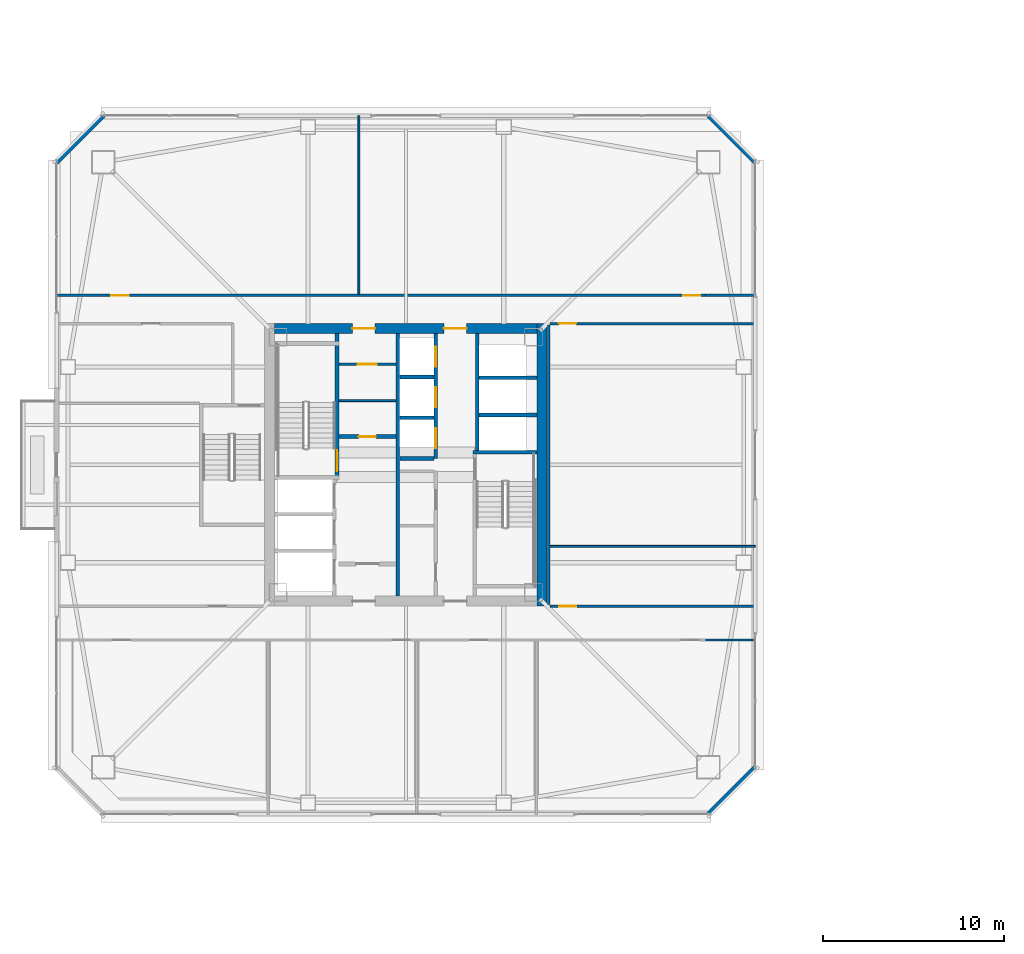
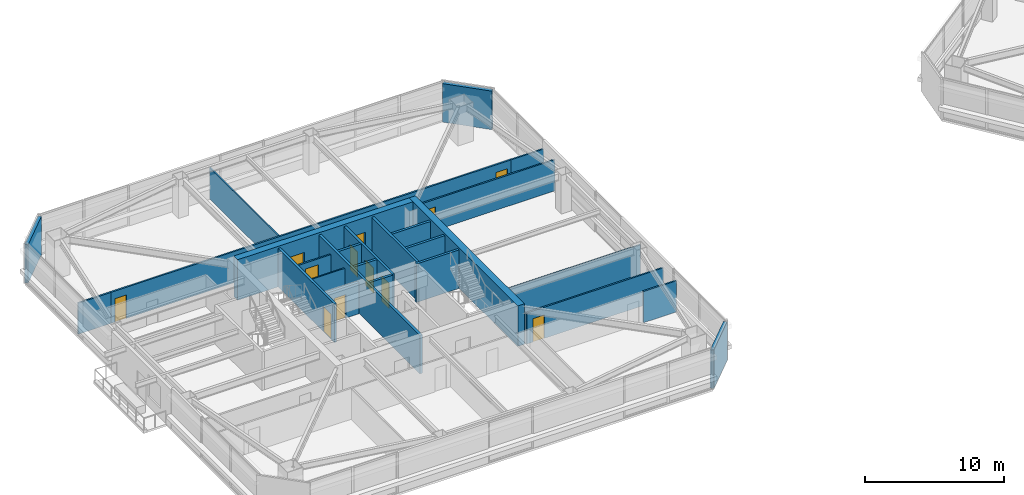
# One storey, part 35 of 44: 27 walls, 12 doors, 12 openings.
"""IFC4 building model written with IfcOpenShell, lengths in metres."""

from ifc_helpers import new_model, si_unit, direction, frame, frame_2d, origin, place, context, subcontext, project, spatial, rectangle, extrude, material, layer, layer_set, type_object, element, fill, save


model = new_model("IFC4")

# Units and contexts
model_context = context("Model", 3, precision=1e-05, world=origin(), true_north=direction((0.0, 1.0)))
body_context = subcontext(model_context, "Body", "Model", "MODEL_VIEW")
ifc_project = project(units=[si_unit("LENGTHUNIT", "METRE"), si_unit("AREAUNIT", "SQUARE_METRE"), si_unit("VOLUMEUNIT", "CUBIC_METRE"), si_unit("PLANEANGLEUNIT", "RADIAN"), si_unit("MASSUNIT", "GRAM", prefix="KILO")], contexts=[model_context])

# Site, building, storey
site_placement = place(None, origin())
site = spatial("IfcSite", under=ifc_project, at=site_placement, CompositionType="ELEMENT")
building_placement = place(site_placement, origin())
building = spatial("IfcBuilding", under=site, at=building_placement, Name="Tashvorn Skyway Center", CompositionType="ELEMENT")
storey_placement = place(building_placement, frame((0.0, 0.0, 128.60009765625)))
storey = spatial("IfcBuildingStorey", under=building, at=storey_placement, Name="L34", CompositionType="ELEMENT", Elevation=128.60009765625)

# Wall
ifc_material_1 = material(Name="Concrete C60/75", Category="concrete")
ifc_layer_1 = layer(ifc_material_1, 0.550048828125)
ifc_layer_set_1 = layer_set([ifc_layer_1], Name="Concrete C60/75")
wall_type_1 = type_object("IfcWallType", Name="WALL-CORE-550", PredefinedType="SHEAR", material=ifc_layer_set_1)
wall_1_placement = place(storey_placement, frame((49.52490234375, 39.800048828125, 0.0), z_axis=(0.0, 0.0, 1.0), x_axis=(0.0, -1.0, 0.0)))
element("IfcWall", 1, at=wall_1_placement, inside=storey, type_object=wall_type_1, Name="Tower 1 L34 East Core Shear Wall", PredefinedType="SHEAR", context=body_context, shape_type="SweptSolid", body=[
    extrude(rectangle(XDim=15.60009765625, YDim=0.550048828125, at=frame_2d((7.800048828125, 0.0))), origin(), (0.0, 0.0, 1.0), 3.5498046875),
])

# Wall, openings, doors
wall_2_placement = place(storey_placement, frame((34.75, 39.52490234375, 0.0), z_axis=(0.0, 0.0, 1.0), x_axis=(1.0, 0.0, 0.0)))
wall_2 = element("IfcWall", 2, at=wall_2_placement, inside=storey, type_object=wall_type_1, Name="Tower 1 L34 North Core Shear Wall", PredefinedType="SHEAR", context=body_context, shape_type="SweptSolid", body=[
    extrude(rectangle(XDim=14.5, YDim=0.550048828125, at=frame_2d((7.25, 0.0))), origin(), (0.0, 0.0, 1.0), 3.5498046875),
])
opening_1_placement = place(wall_2_placement, frame((4.300048828125, 0.0, 0.0)))
opening_1 = element("IfcOpeningElement", 3, at=opening_1_placement, cuts=wall_2, Name="Opening D-FFL-1250", PredefinedType="OPENING", context=body_context, shape_type="SweptSolid", body=[
    extrude(rectangle(XDim=1.25, YDim=2.25, at=frame_2d((0.625, 1.125))), frame((0.0, 0.284912109375, 0.0), z_axis=(0.0, -1.0, 0.0), x_axis=(1.0, 0.0, 0.0)), (0.0, 0.0, 1.0), 0.570068359375),
])
opening_2_placement = place(wall_2_placement, frame((9.35009765625, 0.0, 0.0)))
opening_2 = element("IfcOpeningElement", 4, at=opening_2_placement, cuts=wall_2, Name="Opening D-FFL-1250", PredefinedType="OPENING", context=body_context, shape_type="SweptSolid", body=[
    extrude(rectangle(XDim=1.25, YDim=2.25, at=frame_2d((0.625, 1.125))), frame((0.0, 0.284912109375, 0.0), z_axis=(0.0, -1.0, 0.0), x_axis=(1.0, 0.0, 0.0)), (0.0, 0.0, 1.0), 0.570068359375),
])
ifc_material_2 = material(Name="Hollow galvanized steel fire door assembly", Category="steel")
door_type_1 = type_object("IfcDoorType", Name="DOOR-FFL-1250", OperationType="NOTDEFINED", PredefinedType="DOOR", material=ifc_material_2)
door_1_placement = place(opening_1_placement, origin())
door_1 = element("IfcDoor", 5, at=door_1_placement, inside=storey, type_object=door_type_1, Name="Tower 1 L34 Core North Service Lobby Door", OperationType="SINGLE_SWING_LEFT", OverallHeight=2.25, OverallWidth=1.25, PredefinedType="DOOR", context=body_context, shape_type="SweptSolid", body=[
    extrude(rectangle(XDim=1.25, YDim=2.25, at=frame_2d((0.625, 1.125))), frame((0.0, 0.02490234375, 0.0), z_axis=(0.0, -1.0, 0.0), x_axis=(1.0, 0.0, 0.0)), (0.0, 0.0, 1.0), 0.050048828125),
])
fill(opening_1, door_1)
door_2_placement = place(opening_2_placement, origin())
door_2 = element("IfcDoor", 6, at=door_2_placement, inside=storey, type_object=door_type_1, Name="Tower 1 L34 Core North Lift Lobby Door", OperationType="SINGLE_SWING_RIGHT", OverallHeight=2.25, OverallWidth=1.25, PredefinedType="DOOR", context=body_context, shape_type="SweptSolid", body=[
    extrude(rectangle(XDim=1.25, YDim=2.25, at=frame_2d((0.625, 1.125))), frame((0.0, 0.02490234375, 0.0), z_axis=(0.0, -1.0, 0.0), x_axis=(1.0, 0.0, 0.0)), (0.0, 0.0, 1.0), 0.050048828125),
])
fill(opening_2, door_2)

# Walls
ifc_material_3 = material(Name="Precast concrete C40/50", Category="concrete")
ifc_layer_2 = layer(ifc_material_3, 0.280029296875)
ifc_layer_set_2 = layer_set([ifc_layer_2], Name="Precast concrete C40/50")
wall_type_2 = type_object("IfcWallType", Name="WALL-EXT-280", PredefinedType="SOLIDWALL", material=ifc_layer_set_2)
for number, where, z_axis, x_axis, name in (
    (7, (22.699951171875, 48.699951171875, 0.0), (0.0, 0.0, 1.0), (0.707106781187, 0.707106781187, 0.0), "Tower 1 L34 NW Precast Chamfer Wall"),
    (8, (58.699951171875, 51.300048828125, 0.0), (0.0, 0.0, 1.0), (0.707106781187, -0.707106781187, 0.0), "Tower 1 L34 NE Precast Chamfer Wall"),
    (9, (61.300048828125, 15.300048828125, 0.0), (0.0, 0.0, 1.0), (-0.707106781187, -0.707106781187, 0.0), "Tower 1 L34 SE Precast Chamfer Wall"),
):
    element("IfcWall", number, at=place(storey_placement, frame(where, z_axis=z_axis, x_axis=x_axis)), inside=storey, type_object=wall_type_2, Name=name, PredefinedType="SOLIDWALL", context=body_context, shape_type="SweptSolid", body=[
        extrude(rectangle(XDim=3.677001953125, YDim=0.280029296875, at=frame_2d((1.83837890625, 0.0))), origin(), (0.0, 0.0, 1.0), 3.369873046875),
    ])

# Wall, opening, door
ifc_material_4 = material(Name="Concrete C40/50", Category="concrete")
ifc_layer_3 = layer(ifc_material_4, 0.219970703125)
ifc_layer_set_3 = layer_set([ifc_layer_3], Name="Concrete C40/50")
wall_type_3 = type_object("IfcWallType", Name="WALL-FFL-220", PredefinedType="SOLIDWALL", material=ifc_layer_set_3)
wall_3_placement = place(storey_placement, frame((38.300048828125, 33.56005859375, 0.0), z_axis=(0.0, 0.0, 1.0), x_axis=(1.0, 0.0, 0.0)))
wall_3 = element("IfcWall", 10, at=wall_3_placement, inside=storey, type_object=wall_type_3, Name="Tower 1 L34 Firefighting Lobby North Wall", PredefinedType="SOLIDWALL", context=body_context, shape_type="SweptSolid", body=[
    extrude(rectangle(XDim=3.14990234375, YDim=0.219970703125, at=frame_2d((1.574951171875, 0.0))), origin(), (0.0, 0.0, 1.0), 2.722900390625),
])
opening_3_placement = place(wall_3_placement, frame((1.10009765625, 0.0, 0.0)))
opening_3 = element("IfcOpeningElement", 11, at=opening_3_placement, cuts=wall_3, Name="Opening D-RT-950", PredefinedType="OPENING", context=body_context, shape_type="SweptSolid", body=[
    extrude(rectangle(XDim=0.949951171875, YDim=2.050048828125, at=frame_2d((0.47509765625, 1.02490234375))), frame((0.0, 0.119873046875, 0.0), z_axis=(0.0, -1.0, 0.0), x_axis=(1.0, 0.0, 0.0)), (0.0, 0.0, 1.0), 0.239990234375),
])
door_type_2 = type_object("IfcDoorType", Name="DOOR-RATED-950", OperationType="NOTDEFINED", PredefinedType="DOOR", material=ifc_material_2)
door_3_placement = place(opening_3_placement, origin())
door_3 = element("IfcDoor", 12, at=door_3_placement, inside=storey, type_object=door_type_2, Name="Tower 1 L34 Core Linen Store Door", OperationType="SINGLE_SWING_LEFT", OverallHeight=2.050048828125, OverallWidth=0.949951171875, PredefinedType="DOOR", context=body_context, shape_type="SweptSolid", body=[
    extrude(rectangle(XDim=0.949951171875, YDim=2.050048828125, at=frame_2d((0.47509765625, 1.02490234375))), frame((0.0, 0.02490234375, 0.0), z_axis=(0.0, -1.0, 0.0), x_axis=(1.0, 0.0, 0.0)), (0.0, 0.0, 1.0), 0.050048828125),
])
fill(opening_3, door_3)

# Walls
ifc_material_5 = material(Name="Gypsum board on cold-formed steel stud framing", Category="steel")
ifc_layer_4 = layer(ifc_material_5, 0.110107421875)
ifc_layer_set_4 = layer_set([ifc_layer_4], Name="Gypsum board on cold-formed steel stud framing")
wall_type_4 = type_object("IfcWallType", Name="WALL-PART-110", PredefinedType="PARTITIONING", material=ifc_layer_set_4)
wall_4_placement = place(storey_placement, frame((39.39990234375, 41.429931640625, 0.0), z_axis=(0.0, 0.0, 1.0), x_axis=(0.0, 1.0, 0.0)))
element("IfcWall", 13, at=wall_4_placement, inside=storey, type_object=wall_type_4, Name="Tower 1 L34 North Suite Partition 1", PredefinedType="PARTITIONING", context=body_context, shape_type="SweptSolid", body=[
    extrude(rectangle(XDim=9.85009765625, YDim=0.110107421875, at=frame_2d((4.925048828125, 0.0))), origin(), (0.0, 0.0, 1.0), 2.722900390625),
])
wall_5_placement = place(storey_placement, frame((49.9599609375, 27.5, 0.0), z_axis=(0.0, 0.0, 1.0), x_axis=(1.0, 0.0, 0.0)))
element("IfcWall", 14, at=wall_5_placement, inside=storey, type_object=wall_type_4, Name="Tower 1 L34 East Mid Partition", PredefinedType="PARTITIONING", context=body_context, shape_type="SweptSolid", body=[
    extrude(rectangle(XDim=11.320068359375, YDim=0.110107421875, at=frame_2d((5.66015625, 0.0))), origin(), (0.0, 0.0, 1.0), 2.722900390625),
])

# Wall, openings, doors
ifc_layer_5 = layer(ifc_material_5, 0.135009765625)
ifc_layer_set_5 = layer_set([ifc_layer_5], Name="Gypsum board on cold-formed steel stud framing")
wall_type_5 = type_object("IfcWallType", Name="WALL-PART-135", PredefinedType="PARTITIONING", material=ifc_layer_set_5)
wall_6_placement = place(storey_placement, frame((25.449951171875, 41.35009765625, 0.0), z_axis=(0.0, 0.0, 1.0), x_axis=(1.0, 0.0, 0.0)))
wall_6 = element("IfcWall", 15, at=wall_6_placement, inside=storey, type_object=wall_type_5, Name="Tower 1 L34 North Suite Wall", PredefinedType="PARTITIONING", context=body_context, shape_type="SweptSolid", body=[
    extrude(rectangle(XDim=33.10009765625, YDim=0.135009765625, at=frame_2d((16.550048828125, 0.0))), origin(), (0.0, 0.0, 1.0), 2.722900390625),
])
opening_4_placement = place(wall_6_placement, frame((0.300048828125, 0.0, 0.0)))
opening_4 = element("IfcOpeningElement", 16, at=opening_4_placement, cuts=wall_6, Name="Opening D-INT-950", PredefinedType="OPENING", context=body_context, shape_type="SweptSolid", body=[
    extrude(rectangle(XDim=0.949951171875, YDim=2.050048828125, at=frame_2d((0.47509765625, 1.02490234375))), frame((0.0, 0.077392578125, 0.0), z_axis=(0.0, -1.0, 0.0), x_axis=(1.0, 0.0, 0.0)), (0.0, 0.0, 1.0), 0.155029296875),
])
opening_5_placement = place(wall_6_placement, frame((31.85009765625, 0.0, 0.0)))
opening_5 = element("IfcOpeningElement", 17, at=opening_5_placement, cuts=wall_6, Name="Opening D-INT-950", PredefinedType="OPENING", context=body_context, shape_type="SweptSolid", body=[
    extrude(rectangle(XDim=0.949951171875, YDim=2.050048828125, at=frame_2d((0.47509765625, 1.02490234375))), frame((0.0, 0.077392578125, 0.0), z_axis=(0.0, -1.0, 0.0), x_axis=(1.0, 0.0, 0.0)), (0.0, 0.0, 1.0), 0.155029296875),
])
ifc_material_6 = material(Name="Solid-core architectural oak veneer door")
door_type_3 = type_object("IfcDoorType", Name="DOOR-INT-950", OperationType="NOTDEFINED", PredefinedType="DOOR", material=ifc_material_6)
door_4_placement = place(opening_4_placement, origin())
door_4 = element("IfcDoor", 18, at=door_4_placement, inside=storey, type_object=door_type_3, Name="Tower 1 L34 Open Plan Office Door", OperationType="SINGLE_SWING_LEFT", OverallHeight=2.050048828125, OverallWidth=0.949951171875, PredefinedType="DOOR", context=body_context, shape_type="SweptSolid", body=[
    extrude(rectangle(XDim=0.949951171875, YDim=2.050048828125, at=frame_2d((0.47509765625, 1.02490234375))), frame((0.0, 0.02490234375, 0.0), z_axis=(0.0, -1.0, 0.0), x_axis=(1.0, 0.0, 0.0)), (0.0, 0.0, 1.0), 0.050048828125),
])
fill(opening_4, door_4)
door_5_placement = place(opening_5_placement, origin())
door_5 = element("IfcDoor", 19, at=door_5_placement, inside=storey, type_object=door_type_3, Name="Tower 1 L34 Open Plan Office Door", OperationType="SINGLE_SWING_RIGHT", OverallHeight=2.050048828125, OverallWidth=0.949951171875, PredefinedType="DOOR", context=body_context, shape_type="SweptSolid", body=[
    extrude(rectangle(XDim=0.949951171875, YDim=2.050048828125, at=frame_2d((0.47509765625, 1.02490234375))), frame((0.0, 0.02490234375, 0.0), z_axis=(0.0, -1.0, 0.0), x_axis=(1.0, 0.0, 0.0)), (0.0, 0.0, 1.0), 0.050048828125),
])
fill(opening_5, door_5)

# Walls
for number, where, z_axis, x_axis, name in (
    (20, (22.719970703125, 41.35009765625, 0.0), (0.0, 0.0, 1.0), (1.0, 0.0, 0.0), "Tower 1 L34 North-West Suite South Wall"),
    (21, (58.550048828125, 41.35009765625, 0.0), (0.0, 0.0, 1.0), (1.0, 0.0, 0.0), "Tower 1 L34 North-East Suite South Wall"),
    (22, (58.550048828125, 22.330078125, 0.0), (0.0, 0.0, 1.0), (1.0, 0.0, 0.0), "Tower 1 L34 South-East Suite North Wall"),
):
    element("IfcWall", number, at=place(storey_placement, frame(where, z_axis=z_axis, x_axis=x_axis)), inside=storey, type_object=wall_type_5, Name=name, PredefinedType="PARTITIONING", context=body_context, shape_type="SweptSolid", body=[
        extrude(rectangle(XDim=2.72998046875, YDim=0.135009765625, at=frame_2d((1.364990234375, 0.0))), origin(), (0.0, 0.0, 1.0), 2.722900390625),
    ])
wall_7_placement = place(storey_placement, frame((49.8798828125, 39.719970703125, 0.0), z_axis=(0.0, 0.0, 1.0), x_axis=(0.0, -1.0, 0.0)))
element("IfcWall", 23, at=wall_7_placement, inside=storey, type_object=wall_type_5, Name="Tower 1 L34 East Inner Suite Wall", PredefinedType="PARTITIONING", context=body_context, shape_type="SweptSolid", body=[
    extrude(rectangle(XDim=15.43994140625, YDim=0.135009765625, at=frame_2d((7.719970703125, 0.0))), origin(), (0.0, 0.0, 1.0), 2.722900390625),
])

# Wall, opening, door
wall_8_placement = place(storey_placement, frame((61.280029296875, 39.800048828125, 0.0), z_axis=(0.0, 0.0, 1.0), x_axis=(-1.0, 0.0, 0.0)))
wall_8 = element("IfcWall", 24, at=wall_8_placement, inside=storey, type_object=wall_type_5, Name="Tower 1 L34 East Suite North Wall", PredefinedType="PARTITIONING", context=body_context, shape_type="SweptSolid", body=[
    extrude(rectangle(XDim=11.320068359375, YDim=0.135009765625, at=frame_2d((5.66015625, 0.0))), origin(), (0.0, 0.0, 1.0), 2.722900390625),
])
opening_6_placement = place(wall_8_placement, frame((9.8798828125, 0.0, 0.0)))
opening_6 = element("IfcOpeningElement", 25, at=opening_6_placement, cuts=wall_8, Name="Opening D-INT-950", PredefinedType="OPENING", context=body_context, shape_type="SweptSolid", body=[
    extrude(rectangle(XDim=0.949951171875, YDim=2.050048828125, at=frame_2d((0.47509765625, 1.02490234375))), frame((0.0, 0.077392578125, 0.0), z_axis=(0.0, -1.0, 0.0), x_axis=(1.0, 0.0, 0.0)), (0.0, 0.0, 1.0), 0.155029296875),
])
door_6_placement = place(opening_6_placement, origin())
door_6 = element("IfcDoor", 26, at=door_6_placement, inside=storey, type_object=door_type_3, Name="Tower 1 L34 Executive Study Lounge Door", OperationType="SINGLE_SWING_LEFT", OverallHeight=2.050048828125, OverallWidth=0.949951171875, PredefinedType="DOOR", context=body_context, shape_type="SweptSolid", body=[
    extrude(rectangle(XDim=0.949951171875, YDim=2.050048828125, at=frame_2d((0.47509765625, 1.02490234375))), frame((0.0, 0.02490234375, 0.0), z_axis=(0.0, -1.0, 0.0), x_axis=(1.0, 0.0, 0.0)), (0.0, 0.0, 1.0), 0.050048828125),
])
fill(opening_6, door_6)

wall_9_placement = place(storey_placement, frame((49.9599609375, 24.199951171875, 0.0), z_axis=(0.0, 0.0, 1.0), x_axis=(1.0, 0.0, 0.0)))
wall_9 = element("IfcWall", 27, at=wall_9_placement, inside=storey, type_object=wall_type_5, Name="Tower 1 L34 East Suite South Wall", PredefinedType="PARTITIONING", context=body_context, shape_type="SweptSolid", body=[
    extrude(rectangle(XDim=11.320068359375, YDim=0.135009765625, at=frame_2d((5.66015625, 0.0))), origin(), (0.0, 0.0, 1.0), 2.722900390625),
])
opening_7_placement = place(wall_9_placement, frame((0.5, 0.0, 0.0)))
opening_7 = element("IfcOpeningElement", 28, at=opening_7_placement, cuts=wall_9, Name="Opening D-INT-950", PredefinedType="OPENING", context=body_context, shape_type="SweptSolid", body=[
    extrude(rectangle(XDim=0.949951171875, YDim=2.050048828125, at=frame_2d((0.47509765625, 1.02490234375))), frame((0.0, 0.077392578125, 0.0), z_axis=(0.0, -1.0, 0.0), x_axis=(1.0, 0.0, 0.0)), (0.0, 0.0, 1.0), 0.155029296875),
])
door_7_placement = place(opening_7_placement, origin())
door_7 = element("IfcDoor", 29, at=door_7_placement, inside=storey, type_object=door_type_3, Name="Tower 1 L34 Public Restroom Door", OperationType="SINGLE_SWING_RIGHT", OverallHeight=2.050048828125, OverallWidth=0.949951171875, PredefinedType="DOOR", context=body_context, shape_type="SweptSolid", body=[
    extrude(rectangle(XDim=0.949951171875, YDim=2.050048828125, at=frame_2d((0.47509765625, 1.02490234375))), frame((0.0, 0.02490234375, 0.0), z_axis=(0.0, -1.0, 0.0), x_axis=(1.0, 0.0, 0.0)), (0.0, 0.0, 1.0), 0.050048828125),
])
fill(opening_7, door_7)

# Wall
ifc_layer_6 = layer(ifc_material_5, 0.110107421875)
ifc_layer_set_6 = layer_set([ifc_layer_6], Name="Gypsum board on cold-formed steel stud framing")
wall_type_6 = type_object("IfcWallType", Name="WALL-RATED-110", PredefinedType="PARTITIONING", material=ifc_layer_set_6)
wall_10_placement = place(storey_placement, frame((38.300048828125, 35.550048828125, 0.0), z_axis=(0.0, 0.0, 1.0), x_axis=(1.0, 0.0, 0.0)))
element("IfcWall", 30, at=wall_10_placement, inside=storey, type_object=wall_type_6, Name="Tower 1 L34 Core Transverse Wall", PredefinedType="PARTITIONING", context=body_context, shape_type="SweptSolid", body=[
    extrude(rectangle(XDim=3.14990234375, YDim=0.110107421875, at=frame_2d((1.574951171875, 0.0))), origin(), (0.0, 0.0, 1.0), 2.722900390625),
])

# Wall, opening, door
ifc_layer_7 = layer(ifc_material_5, 0.135009765625)
ifc_layer_set_7 = layer_set([ifc_layer_7], Name="Gypsum board on cold-formed steel stud framing")
wall_type_7 = type_object("IfcWallType", Name="WALL-RATED-135", PredefinedType="PARTITIONING", material=ifc_layer_set_7)
wall_11_placement = place(storey_placement, frame((38.300048828125, 37.550048828125, 0.0), z_axis=(0.0, 0.0, 1.0), x_axis=(1.0, 0.0, 0.0)))
wall_11 = element("IfcWall", 31, at=wall_11_placement, inside=storey, type_object=wall_type_7, Name="Tower 1 L34 Core Service Lobby Wall", PredefinedType="PARTITIONING", context=body_context, shape_type="SweptSolid", body=[
    extrude(rectangle(XDim=3.14990234375, YDim=0.135009765625, at=frame_2d((1.574951171875, 0.0))), origin(), (0.0, 0.0, 1.0), 2.722900390625),
])
opening_8_placement = place(wall_11_placement, frame((1.050048828125, 0.0, 0.0)))
opening_8 = element("IfcOpeningElement", 32, at=opening_8_placement, cuts=wall_11, Name="Opening D-RT-1050", PredefinedType="OPENING", context=body_context, shape_type="SweptSolid", body=[
    extrude(rectangle(XDim=1.050048828125, YDim=2.199951171875, at=frame_2d((0.52490234375, 1.10009765625))), frame((0.0, 0.077392578125, 0.0), z_axis=(0.0, -1.0, 0.0), x_axis=(1.0, 0.0, 0.0)), (0.0, 0.0, 1.0), 0.155029296875),
])
door_type_4 = type_object("IfcDoorType", Name="DOOR-RATED-1050", OperationType="NOTDEFINED", PredefinedType="DOOR", material=ifc_material_2)
door_8_placement = place(opening_8_placement, origin())
door_8 = element("IfcDoor", 33, at=door_8_placement, inside=storey, type_object=door_type_4, Name="Tower 1 L34 Core Accessible WC Door", OperationType="SINGLE_SWING_RIGHT", OverallHeight=2.199951171875, OverallWidth=1.050048828125, PredefinedType="DOOR", context=body_context, shape_type="SweptSolid", body=[
    extrude(rectangle(XDim=1.050048828125, YDim=2.199951171875, at=frame_2d((0.52490234375, 1.10009765625))), frame((0.0, 0.02490234375, 0.0), z_axis=(0.0, -1.0, 0.0), x_axis=(1.0, 0.0, 0.0)), (0.0, 0.0, 1.0), 0.050048828125),
])
fill(opening_8, door_8)

# Walls
ifc_layer_8 = layer(ifc_material_4, 0.199951171875)
ifc_layer_set_8 = layer_set([ifc_layer_8], Name="Concrete C40/50")
wall_type_8 = type_object("IfcWallType", Name="WALL-SHAFT-200", PredefinedType="SOLIDWALL", material=ifc_layer_set_8)
for number, where, z_axis, x_axis, name in (
    (34, (46.050048828125, 34.75, 0.0), (0.0, 0.0, 1.0), (1.0, 0.0, 0.0), "Tower 1 L34 High-Rise Shaft Divider"),
    (35, (46.050048828125, 36.800048828125, 0.0), (0.0, 0.0, 1.0), (1.0, 0.0, 0.0), "Tower 1 L34 High-Rise Shaft Divider"),
):
    element("IfcWall", number, at=place(storey_placement, frame(where, z_axis=z_axis, x_axis=x_axis)), inside=storey, type_object=wall_type_8, Name=name, PredefinedType="SOLIDWALL", context=body_context, shape_type="SweptSolid", body=[
        extrude(rectangle(XDim=3.199951171875, YDim=0.199951171875, at=frame_2d((1.60009765625, 0.0))), origin(), (0.0, 0.0, 1.0), 3.369873046875),
    ])

# Wall, openings, doors
wall_12_placement = place(storey_placement, frame((43.64990234375, 32.35009765625, 0.0), z_axis=(0.0, 0.0, 1.0), x_axis=(0.0, 1.0, 0.0)))
wall_12 = element("IfcWall", 36, at=wall_12_placement, inside=storey, type_object=wall_type_8, Name="Tower 1 L34 Mid-Rise Core Wall", PredefinedType="SOLIDWALL", context=body_context, shape_type="SweptSolid", body=[
    extrude(rectangle(XDim=6.89990234375, YDim=0.199951171875, at=frame_2d((3.449951171875, 0.0))), origin(), (0.0, 0.0, 1.0), 3.369873046875),
])
opening_9_placement = place(wall_12_placement, frame((0.574951171875, 0.0, 0.0)))
opening_9 = element("IfcOpeningElement", 37, at=opening_9_placement, cuts=wall_12, Name="Opening LD-MR-T1-1-L34", PredefinedType="OPENING", context=body_context, shape_type="SweptSolid", body=[
    extrude(rectangle(XDim=1.10009765625, YDim=2.199951171875, at=frame_2d((0.550048828125, 1.10009765625))), frame((0.0, 0.10986328125, 0.0), z_axis=(0.0, -1.0, 0.0), x_axis=(1.0, 0.0, 0.0)), (0.0, 0.0, 1.0), 0.219970703125),
])
opening_10_placement = place(wall_12_placement, frame((2.824951171875, 0.0, 0.0)))
opening_10 = element("IfcOpeningElement", 38, at=opening_10_placement, cuts=wall_12, Name="Opening LD-MR-T1-2-L34", PredefinedType="OPENING", context=body_context, shape_type="SweptSolid", body=[
    extrude(rectangle(XDim=1.10009765625, YDim=2.199951171875, at=frame_2d((0.550048828125, 1.10009765625))), frame((0.0, 0.10986328125, 0.0), z_axis=(0.0, -1.0, 0.0), x_axis=(1.0, 0.0, 0.0)), (0.0, 0.0, 1.0), 0.219970703125),
])
opening_11_placement = place(wall_12_placement, frame((5.074951171875, 0.0, 0.0)))
opening_11 = element("IfcOpeningElement", 39, at=opening_11_placement, cuts=wall_12, Name="Opening LD-MR-T1-3-L34", PredefinedType="OPENING", context=body_context, shape_type="SweptSolid", body=[
    extrude(rectangle(XDim=1.10009765625, YDim=2.199951171875, at=frame_2d((0.550048828125, 1.10009765625))), frame((0.0, 0.10986328125, 0.0), z_axis=(0.0, -1.0, 0.0), x_axis=(1.0, 0.0, 0.0)), (0.0, 0.0, 1.0), 0.219970703125),
])
ifc_material_7 = material(Name="Stainless steel landing door", Category="steel")
door_type_5 = type_object("IfcDoorType", Name="DOOR-LIFT-1100", OperationType="SLIDING_TO_LEFT", PredefinedType="DOOR", material=ifc_material_7)
door_9_placement = place(opening_9_placement, origin())
door_9 = element("IfcDoor", 40, at=door_9_placement, inside=storey, type_object=door_type_5, Name="Lift MR-T1-1 L34 Landing Door", OperationType="SLIDING_TO_LEFT", OverallHeight=2.199951171875, OverallWidth=1.10009765625, PredefinedType="DOOR", context=body_context, shape_type="SweptSolid", body=[
    extrude(rectangle(XDim=1.10009765625, YDim=2.199951171875, at=frame_2d((0.550048828125, 1.10009765625))), frame((0.0, 0.02490234375, 0.0), z_axis=(0.0, -1.0, 0.0), x_axis=(1.0, 0.0, 0.0)), (0.0, 0.0, 1.0), 0.050048828125),
])
fill(opening_9, door_9)
door_10_placement = place(opening_10_placement, origin())
door_10 = element("IfcDoor", 41, at=door_10_placement, inside=storey, type_object=door_type_5, Name="Lift MR-T1-2 L34 Landing Door", OperationType="SLIDING_TO_LEFT", OverallHeight=2.199951171875, OverallWidth=1.10009765625, PredefinedType="DOOR", context=body_context, shape_type="SweptSolid", body=[
    extrude(rectangle(XDim=1.10009765625, YDim=2.199951171875, at=frame_2d((0.550048828125, 1.10009765625))), frame((0.0, 0.02490234375, 0.0), z_axis=(0.0, -1.0, 0.0), x_axis=(1.0, 0.0, 0.0)), (0.0, 0.0, 1.0), 0.050048828125),
])
fill(opening_10, door_10)
door_11_placement = place(opening_11_placement, origin())
door_11 = element("IfcDoor", 42, at=door_11_placement, inside=storey, type_object=door_type_5, Name="Lift MR-T1-3 L34 Landing Door", OperationType="SLIDING_TO_LEFT", OverallHeight=2.199951171875, OverallWidth=1.10009765625, PredefinedType="DOOR", context=body_context, shape_type="SweptSolid", body=[
    extrude(rectangle(XDim=1.10009765625, YDim=2.199951171875, at=frame_2d((0.550048828125, 1.10009765625))), frame((0.0, 0.02490234375, 0.0), z_axis=(0.0, -1.0, 0.0), x_axis=(1.0, 0.0, 0.0)), (0.0, 0.0, 1.0), 0.050048828125),
])
fill(opening_11, door_11)

# Walls
for number, where, z_axis, x_axis, name in (
    (43, (41.669921875, 32.35009765625, 0.0), (0.0, 0.0, 1.0), (1.0, 0.0, 0.0), "Tower 1 L34 Mid-Rise Shaft Divider"),
    (44, (41.669921875, 34.60009765625, 0.0), (0.0, 0.0, 1.0), (1.0, 0.0, 0.0), "Tower 1 L34 Mid-Rise Shaft Divider"),
    (45, (41.669921875, 36.85009765625, 0.0), (0.0, 0.0, 1.0), (1.0, 0.0, 0.0), "Tower 1 L34 Mid-Rise Shaft Divider"),
):
    element("IfcWall", number, at=place(storey_placement, frame(where, z_axis=z_axis, x_axis=x_axis)), inside=storey, type_object=wall_type_8, Name=name, PredefinedType="SOLIDWALL", context=body_context, shape_type="SweptSolid", body=[
        extrude(rectangle(XDim=1.880126953125, YDim=0.199951171875, at=frame_2d((0.93994140625, 0.0))), origin(), (0.0, 0.0, 1.0), 3.369873046875),
    ])

# Wall, opening, door
ifc_layer_9 = layer(ifc_material_4, 0.199951171875)
ifc_layer_set_9 = layer_set([ifc_layer_9], Name="Concrete C40/50")
wall_type_9 = type_object("IfcWallType", Name="WALL-STSHF-200", PredefinedType="SHEAR", material=ifc_layer_set_9)
wall_13_placement = place(storey_placement, frame((38.199951171875, 31.199951171875, 0.0), z_axis=(0.0, 0.0, 1.0), x_axis=(0.0, 1.0, 0.0)))
wall_13 = element("IfcWall", 46, at=wall_13_placement, inside=storey, type_object=wall_type_9, Name="Tower 1 L34 Stair 1 Enclosure Wall", PredefinedType="SHEAR", context=body_context, shape_type="SweptSolid", body=[
    extrude(rectangle(XDim=8.050048828125, YDim=0.199951171875, at=frame_2d((4.02490234375, 0.0))), origin(), (0.0, 0.0, 1.0), 3.369873046875),
])
opening_12_placement = place(wall_13_placement, frame((0.449951171875, 0.0, 0.0)))
opening_12 = element("IfcOpeningElement", 47, at=opening_12_placement, cuts=wall_13, Name="Opening D-ST-1150", PredefinedType="OPENING", context=body_context, shape_type="SweptSolid", body=[
    extrude(rectangle(XDim=1.14990234375, YDim=2.199951171875, at=frame_2d((0.574951171875, 1.10009765625))), frame((0.0, 0.10986328125, 0.0), z_axis=(0.0, -1.0, 0.0), x_axis=(1.0, 0.0, 0.0)), (0.0, 0.0, 1.0), 0.219970703125),
])
door_type_6 = type_object("IfcDoorType", Name="DOOR-STAIR-1150", OperationType="NOTDEFINED", PredefinedType="DOOR", material=ifc_material_2)
door_12_placement = place(opening_12_placement, origin())
door_12 = element("IfcDoor", 48, at=door_12_placement, inside=storey, type_object=door_type_6, Name="Tower 1 L34 Exit Stair 1 Door", OperationType="SINGLE_SWING_RIGHT", OverallHeight=2.199951171875, OverallWidth=1.14990234375, PredefinedType="DOOR", context=body_context, shape_type="SweptSolid", body=[
    extrude(rectangle(XDim=1.14990234375, YDim=2.199951171875, at=frame_2d((0.574951171875, 1.10009765625))), frame((0.0, 0.02490234375, 0.0), z_axis=(0.0, -1.0, 0.0), x_axis=(1.0, 0.0, 0.0)), (0.0, 0.0, 1.0), 0.050048828125),
])
fill(opening_12, door_12)

# Walls
wall_14_placement = place(storey_placement, frame((45.699951171875, 32.699951171875, 0.0), z_axis=(0.0, 0.0, 1.0), x_axis=(1.0, 0.0, 0.0)))
element("IfcWall", 49, at=wall_14_placement, inside=storey, type_object=wall_type_9, Name="Tower 1 L34 Stair 2 North Wall", PredefinedType="SHEAR", context=body_context, shape_type="SweptSolid", body=[
    extrude(rectangle(XDim=3.550048828125, YDim=0.199951171875, at=frame_2d((1.77490234375, 0.0))), origin(), (0.0, 0.0, 1.0), 3.369873046875),
])
wall_15_placement = place(storey_placement, frame((41.56005859375, 24.75, 0.0), z_axis=(0.0, 0.0, 1.0), x_axis=(0.0, 1.0, 0.0)))
element("IfcWall", 50, at=wall_15_placement, inside=storey, type_object=wall_type_9, Name="Tower 1 L34 Firefighting Lobby East Smoke Barrier", PredefinedType="SHEAR", context=body_context, shape_type="SweptSolid", body=[
    extrude(rectangle(XDim=14.5, YDim=0.199951171875, at=frame_2d((7.25, 0.0))), origin(), (0.0, 0.0, 1.0), 3.369873046875),
])
wall_16_placement = place(storey_placement, frame((45.949951171875, 39.25, 0.0), z_axis=(0.0, 0.0, 1.0), x_axis=(0.0, -1.0, 0.0)))
element("IfcWall", 51, at=wall_16_placement, inside=storey, type_object=wall_type_9, Name="Tower 1 L34 High-Rise Lift Shaft Front Wall", PredefinedType="SHEAR", context=body_context, shape_type="SweptSolid", body=[
    extrude(rectangle(XDim=6.449951171875, YDim=0.199951171875, at=frame_2d((3.22509765625, 0.0))), origin(), (0.0, 0.0, 1.0), 3.369873046875),
])

save(model, "model.ifc")
